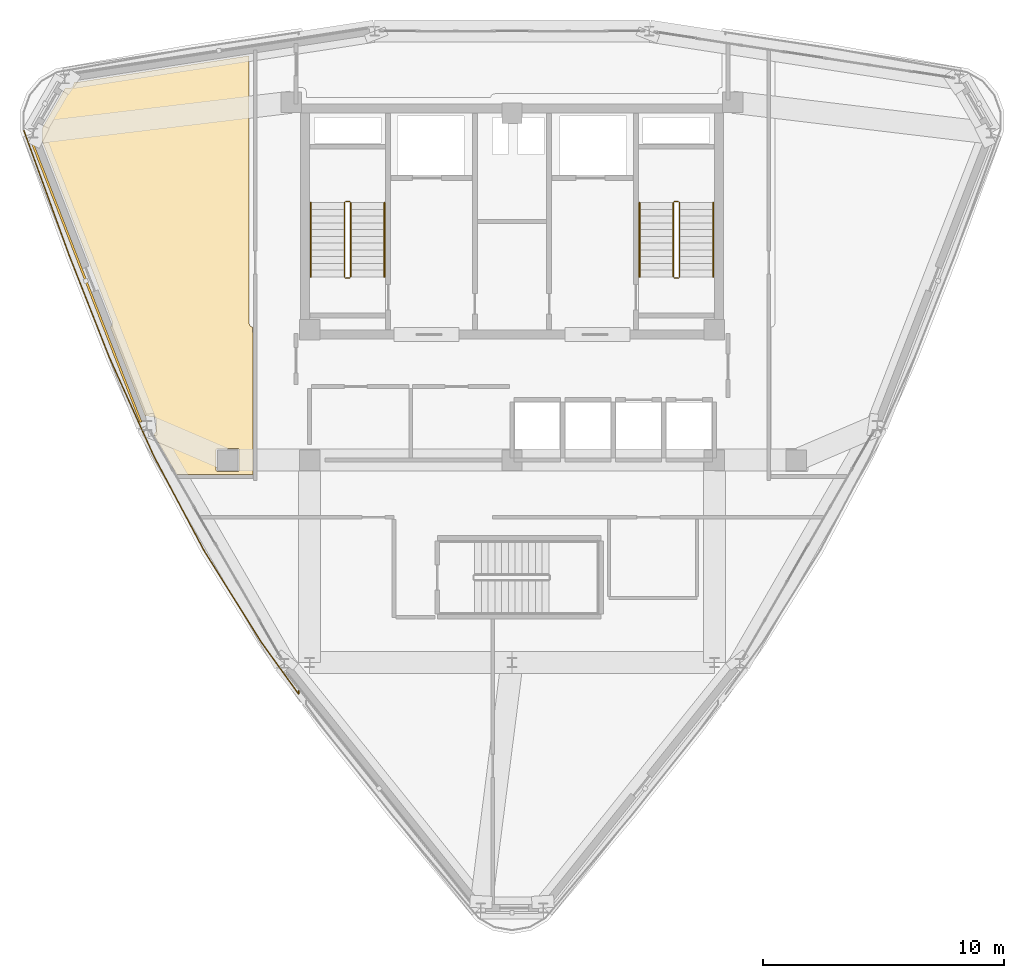
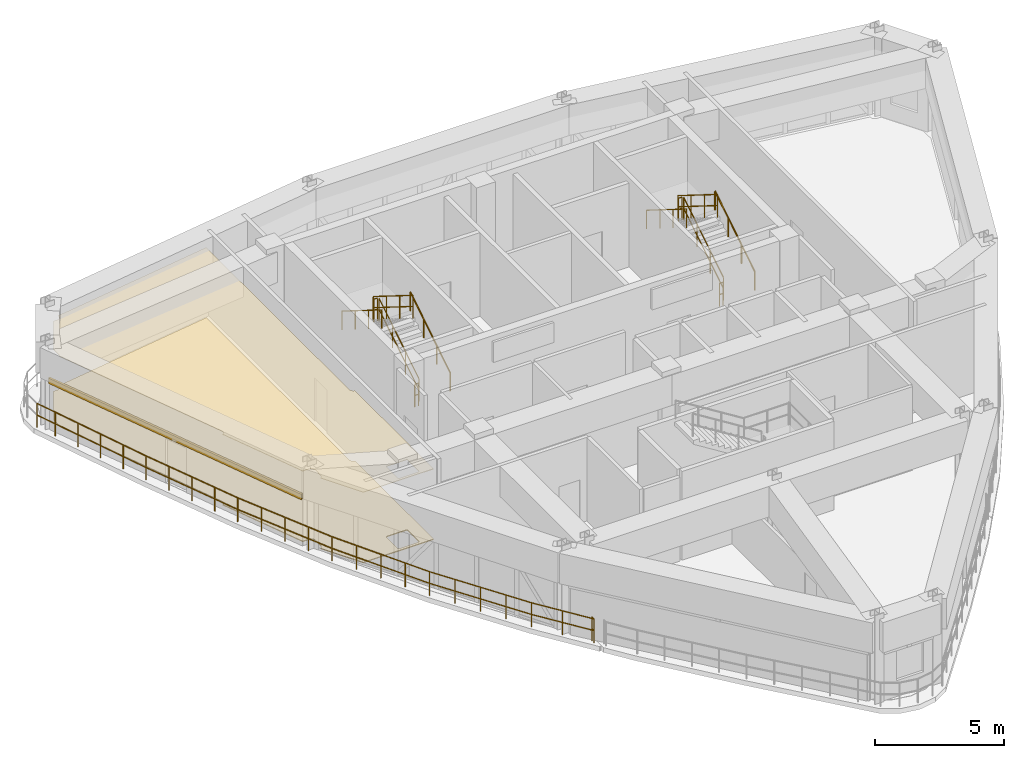
# One storey, part 16 of 18: 13 railings, 2 coverings, 1 shading device.
"""IFC4 building model written with IfcOpenShell, lengths in metres."""

import ifcopenshell
import ifcopenshell.guid

model = None  # the IFC model being written
_history = None  # IfcOwnerHistory: only IFC2X3 demands one
_inside = {}  # id of a spatial element -> (the spatial element, [elements in it])
_under = {}  # id of a project, library or spatial element -> (it, [spatial elements below it])
_declared = {}  # id of a project -> (the project, [libraries it declares])
_typed = {}  # id of a type object -> (the type object, [elements of that type])
_made_of = {}  # id of a material, layer set ... -> (it, [elements and type objects made of it])


def new_model(schema):
    """Start an empty IFC model of exactly this schema.

    Asked for "IFC4X3", IfcOpenShell would pick the latest addendum, in which some entities
    have other attributes; the version numbers below select the first issue.
    IFC2X3 requires an IfcOwnerHistory on every rooted entity: one is made here for all.
    """
    global model, _history
    if schema == "IFC4X3":
        model = ifcopenshell.file(schema_version=(4, 3, 0, 0))
    else:
        model = ifcopenshell.file(schema=schema)
    _inside.clear()
    _under.clear()
    _declared.clear()
    _typed.clear()
    _made_of.clear()
    _history = None
    if model.schema == "IFC2X3":
        org = make("IfcOrganization", Name="unknown")
        user = make(
            "IfcPersonAndOrganization",
            ThePerson=make("IfcPerson", FamilyName="unknown"),
            TheOrganization=org,
        )
        app = make(
            "IfcApplication",
            ApplicationDeveloper=org,
            Version="unknown",
            ApplicationFullName="unknown",
            ApplicationIdentifier="unknown",
        )
        _history = make(
            "IfcOwnerHistory",
            OwningUser=user,
            OwningApplication=app,
            ChangeAction="ADDED",
            CreationDate=0,
        )
    return model


def make(cls, **values):
    """One entity of the class cls with the attributes given. An attribute that is None is left unset."""
    return model.create_entity(
        cls, **{name: value for name, value in values.items() if value is not None}
    )


def rooted(cls, **values):
    """An entity with a GlobalId (a new one), such as an element, a storey or a relation."""
    return make(cls, GlobalId=ifcopenshell.guid.new(), OwnerHistory=_history, **values)


def si_unit(unit_type, name, prefix=None):
    """IfcSIUnit, for example si_unit("LENGTHUNIT", "METRE", prefix="MILLI")."""
    return make("IfcSIUnit", UnitType=unit_type, Prefix=prefix, Name=name)


def derived_unit(unit_type, elements):
    """IfcDerivedUnit: a product of units, each with its exponent."""
    return make(
        "IfcDerivedUnit",
        Elements=[
            make("IfcDerivedUnitElement", Unit=unit, Exponent=power)
            for unit, power in elements
        ],
        UnitType=unit_type,
    )


def assignment(units):
    """IfcUnitAssignment: the units of a project."""
    return None if units is None else make("IfcUnitAssignment", Units=units)


def point(xyz):
    """IfcCartesianPoint."""
    return None if xyz is None else make("IfcCartesianPoint", Coordinates=xyz)


def direction(xyz):
    """IfcDirection."""
    return None if xyz is None else make("IfcDirection", DirectionRatios=xyz)


def frame(location, z_axis=None, x_axis=None):
    """IfcAxis2Placement3D, a coordinate frame: its origin and axes. An axis left out is left unset."""
    return make(
        "IfcAxis2Placement3D",
        Location=point(location),
        Axis=direction(z_axis),
        RefDirection=direction(x_axis),
    )


def frame_2d(location, x_axis=None):
    """IfcAxis2Placement2D, a coordinate frame in the plane: its origin and x axis."""
    return make(
        "IfcAxis2Placement2D", Location=point(location), RefDirection=direction(x_axis)
    )


def origin():
    """The frame at (0, 0, 0) with its axes left unset."""
    return frame((0.0, 0.0, 0.0))


def origin_2d():
    """The frame at (0, 0) in the plane with its x axis left unset."""
    return frame_2d((0.0, 0.0))


def place(relative_to, where):
    """IfcLocalPlacement: puts the frame where relative to a parent placement (None: the world)."""
    return make(
        "IfcLocalPlacement", PlacementRelTo=relative_to, RelativePlacement=where
    )


def context(
    kind, dimensions, precision=None, world=None, true_north=None, identifier=None
):
    """IfcGeometricRepresentationContext, for example the 3D "Model" context."""
    return make(
        "IfcGeometricRepresentationContext",
        ContextIdentifier=identifier,
        ContextType=kind,
        CoordinateSpaceDimension=dimensions,
        Precision=precision,
        WorldCoordinateSystem=world,
        TrueNorth=true_north,
    )


def subcontext(parent, identifier, kind, view, scale=None):
    """IfcGeometricRepresentationSubContext, for example "Body" below "Model"."""
    return make(
        "IfcGeometricRepresentationSubContext",
        ContextIdentifier=identifier,
        ContextType=kind,
        ParentContext=parent,
        TargetScale=scale,
        TargetView=view,
    )


def project(units=None, contexts=None):
    """IfcProject with its units and contexts."""
    return rooted(
        "IfcProject",
        Name="project",
        RepresentationContexts=contexts,
        UnitsInContext=assignment(units),
    )


def spatial(cls, under=None, at=None, **own):
    """A site, building, storey or space (cls), placed at a placement, below another one or the project."""
    s = rooted(cls, ObjectPlacement=at, **own)
    if under is not None:
        _under.setdefault(under.id(), (under, []))[1].append(s)
    return s


def polyline(points):
    """IfcPolyline through the points."""
    return make("IfcPolyline", Points=[point(p) for p in points])


def profile(cls, at=None, kind="AREA", **sizes):
    """A parametric profile (cls). Its sizes go by their IFC names, for example OverallWidth=200.0."""
    return make(cls, ProfileType=kind, Position=at, **sizes)


def hollow_rectangle(**sizes):
    """IfcRectangleHollowProfileDef."""
    return profile("IfcRectangleHollowProfileDef", **sizes)


def circle(**sizes):
    """IfcCircleProfileDef."""
    return profile("IfcCircleProfileDef", **sizes)


def outline(outer, holes=None, kind="AREA"):
    """IfcArbitraryClosedProfileDef: a profile drawn as a closed curve; with holes, ...WithVoids."""
    if holes is None:
        return make("IfcArbitraryClosedProfileDef", ProfileType=kind, OuterCurve=outer)
    return make(
        "IfcArbitraryProfileDefWithVoids",
        ProfileType=kind,
        OuterCurve=outer,
        InnerCurves=holes,
    )


def extrude(swept, where, along, depth):
    """IfcExtrudedAreaSolid: the profile swept, set in the frame where, extruded along a direction by depth."""
    return make(
        "IfcExtrudedAreaSolid",
        SweptArea=swept,
        Position=where,
        ExtrudedDirection=direction(along),
        Depth=depth,
    )


def shape(context_of_items, identifier, shape_type, items):
    """IfcShapeRepresentation: the items that make up one representation, for example the "Body"."""
    return make(
        "IfcShapeRepresentation",
        ContextOfItems=context_of_items,
        RepresentationIdentifier=identifier,
        RepresentationType=shape_type,
        Items=items,
    )


def source(mapping_origin, context_of_items, identifier, shape_type, items):
    """IfcRepresentationMap: a shape defined once, which mapped items show again and again."""
    return make(
        "IfcRepresentationMap",
        MappingOrigin=mapping_origin,
        MappedRepresentation=shape(context_of_items, identifier, shape_type, items),
    )


def transform(
    local_origin,
    x_axis=None,
    y_axis=None,
    z_axis=None,
    scale=None,
    scale2=None,
    scale3=None,
    uniform=True,
):
    """IfcCartesianTransformationOperator3D, or its non-uniform kind. x_axis, y_axis, z_axis: its Axis1, 2, 3."""
    if uniform:
        return make(
            "IfcCartesianTransformationOperator3D",
            Axis1=direction(x_axis),
            Axis2=direction(y_axis),
            LocalOrigin=point(local_origin),
            Scale=scale,
            Axis3=direction(z_axis),
        )
    return make(
        "IfcCartesianTransformationOperator3DnonUniform",
        Axis1=direction(x_axis),
        Axis2=direction(y_axis),
        LocalOrigin=point(local_origin),
        Scale=scale,
        Axis3=direction(z_axis),
        Scale2=scale2,
        Scale3=scale3,
    )


def mapped(mapping_source, mapping_target):
    """IfcMappedItem: shows the shape of a source again, moved by a transform."""
    return make(
        "IfcMappedItem", MappingSource=mapping_source, MappingTarget=mapping_target
    )


def material(Name=None, Category=None):
    """IfcMaterial."""
    return make("IfcMaterial", Name=Name, Category=Category)


def layer(
    of_material, thickness, ventilated=None, Name=None, Category=None, Priority=None
):
    """IfcMaterialLayer: one layer of a wall or slab, of a material (None: an air gap)."""
    return make(
        "IfcMaterialLayer",
        Material=of_material,
        LayerThickness=thickness,
        IsVentilated=ventilated,
        Name=Name,
        Category=Category,
        Priority=Priority,
    )


def layer_set(layers, Name=None):
    """IfcMaterialLayerSet."""
    return make("IfcMaterialLayerSet", MaterialLayers=layers, LayerSetName=Name)


def material_profile(
    of_material, cross_section, Name=None, Category=None, Priority=None
):
    """IfcMaterialProfile: a cross section and its material."""
    return make(
        "IfcMaterialProfile",
        Name=Name,
        Material=of_material,
        Profile=cross_section,
        Priority=Priority,
        Category=Category,
    )


def profile_set(profiles, Name=None, composite=None):
    """IfcMaterialProfileSet."""
    return make(
        "IfcMaterialProfileSet",
        Name=Name,
        MaterialProfiles=profiles,
        CompositeProfile=composite,
    )


def made_of(thing, what):
    """Note that an element or type object is made of a material, layer set ...; save() writes the relation."""
    if what is not None:
        _made_of.setdefault(what.id(), (what, []))[1].append(thing)
    return thing


def type_object(cls, material=None, **own):
    """A type object (cls), such as IfcWallType, which elements share."""
    return made_of(rooted(cls, **own), material)


def element(
    cls,
    number,
    at=None,
    inside=None,
    cuts=None,
    type_object=None,
    material=None,
    context=None,
    identifier="Body",
    shape_type=None,
    held_by="IfcProductDefinitionShape",
    body=None,
    shapes=None,
    **own,
):
    """One element of the class cls, such as IfcWall. Its Tag is "e" and its number.

    at: its placement. inside: the storey or other place that contains it. cuts: it is an
    opening in that element (IfcRelVoidsElement). A single representation is given by context,
    identifier, shape_type and body (its items); several are given by shapes. held_by: the class
    of the entity that holds the representations. save() writes the other relations.
    """
    e = rooted(cls, Tag="e%d" % number, ObjectPlacement=at, **own)
    if body is not None:
        shapes = [shape(context, identifier, shape_type, body)]
    if shapes is not None:
        e.Representation = make(held_by, Representations=shapes)
    if inside is not None:
        _inside.setdefault(inside.id(), (inside, []))[1].append(e)
    if cuts is not None:
        rooted(
            "IfcRelVoidsElement", RelatingBuildingElement=cuts, RelatedOpeningElement=e
        )
    if type_object is not None:
        _typed.setdefault(type_object.id(), (type_object, []))[1].append(e)
    return made_of(e, material)


def aggregate(whole, parts):
    """IfcRelAggregates: a whole, such as a stair, and the parts it consists of."""
    return rooted("IfcRelAggregates", RelatingObject=whole, RelatedObjects=parts)


def save(model, path):
    """Write the relations noted so far, then the file.

    IfcRelAggregates (storeys below a building ...), IfcRelContainedInSpatialStructure (elements
    in a storey), IfcRelDefinesByType, IfcRelAssociatesMaterial and IfcRelDeclares: one each for
    every whole, place, type object, material and project.
    """
    for whole, parts in _under.values():
        aggregate(whole, parts)
    for where, things in _inside.values():
        rooted(
            "IfcRelContainedInSpatialStructure",
            RelatedElements=things,
            RelatingStructure=where,
        )
    for kind, things in _typed.values():
        rooted("IfcRelDefinesByType", RelatedObjects=things, RelatingType=kind)
    for what, things in _made_of.values():
        rooted("IfcRelAssociatesMaterial", RelatedObjects=things, RelatingMaterial=what)
    for by, libraries in _declared.values():
        rooted("IfcRelDeclares", RelatingContext=by, RelatedDefinitions=libraries)
    model.write(path)


model = new_model("IFC4")

# Units and contexts
model_context = context("Model", 3, precision=1e-05, world=origin(), true_north=direction((0.0, 1.0)))
body_context = subcontext(model_context, "Body", "Model", "MODEL_VIEW")
ifc_project = project(units=[si_unit("LENGTHUNIT", "METRE"), si_unit("AREAUNIT", "SQUARE_METRE"), si_unit("VOLUMEUNIT", "CUBIC_METRE"), si_unit("PLANEANGLEUNIT", "RADIAN"), si_unit("MASSUNIT", "GRAM", prefix="KILO"), derived_unit("THERMALTRANSMITTANCEUNIT", [(si_unit("POWERUNIT", "WATT"), 1), (si_unit("LENGTHUNIT", "METRE"), -2), (si_unit("THERMODYNAMICTEMPERATUREUNIT", "KELVIN"), -1)])], contexts=[model_context])

# Site, building, storey
site_placement = place(None, origin())
site = spatial("IfcSite", under=ifc_project, at=site_placement, CompositionType="ELEMENT")
building_placement = place(site_placement, origin())
building = spatial("IfcBuilding", under=site, at=building_placement, Name="Korsvarv Bourse and Concert Hall", CompositionType="ELEMENT")
storey_placement = place(building_placement, frame((0.0, 0.0, 275.39990234375)))
storey = spatial("IfcBuildingStorey", under=building, at=storey_placement, Name="L72", CompositionType="ELEMENT", Elevation=275.39990234375)

# Coverings
ifc_material_1 = material(Name="Perforated mineral-wool and birch acoustic baffle ceiling", Category="wood")
ifc_layer_1 = layer(ifc_material_1, 0.02490234375)
ifc_layer_set_1 = layer_set([ifc_layer_1], Name="Perforated mineral-wool and birch acoustic baffle ceiling")
covering_type_1 = type_object("IfcCoveringType", Name="COV-CEIL-1", PredefinedType="CEILING", material=ifc_layer_set_1)
covering_1_placement = place(storey_placement, frame((0.0, 0.0, 3.340087890625)))
element("IfcCovering", 1, at=covering_1_placement, inside=storey, type_object=covering_type_1, Name="L72 acoustic baffle ceiling 2", PredefinedType="CEILING", context=body_context, shape_type="SweptSolid", body=[
    extrude(outline(polyline([(16.494384765625, 45.6708984375), (16.50830078125, 45.70263671875), (16.515869140625, 45.736572265625), (16.527099609375, 46.162841796875), (16.524658203125, 46.197998046875), (17.465087890625, 47.82861328125), (17.636474609375, 47.82861328125), (17.672607421875, 47.83251953125), (17.70751953125, 47.84326171875), (17.7392578125, 47.861083984375), (17.766845703125, 47.884765625), (17.789306640625, 47.91357421875), (17.80517578125, 47.9462890625), (17.814453125, 47.981689453125), (17.81884765625, 48.0546875), (25.090087890625, 49.174560546875), (25.090087890625, 38.090087890625), (25.09375, 38.0537109375), (25.1044921875, 38.01904296875), (25.122314453125, 37.9873046875), (25.14599609375, 37.959716796875), (25.1748046875, 37.937255859375), (25.20751953125, 37.921142578125), (25.24267578125, 37.912109375), (25.25, 31.81005859375), (22.1708984375, 31.81005859375), (22.134033203125, 31.80615234375), (22.100341796875, 31.79541015625), (21.1357421875, 33.466064453125), (21.166259765625, 33.48583984375), (21.191162109375, 33.510009765625), (21.2109375, 33.538818359375), (21.224853515625, 33.570556640625), (21.232421875, 33.6044921875), (21.243408203125, 34.03076171875), (21.240966796875, 34.06591796875), (21.2314453125, 34.10009765625), (21.2158203125, 34.131591796875), (21.19384765625, 34.1591796875), (21.167236328125, 34.182373046875), (21.136474609375, 34.19970703125), (21.10302734375, 34.210693359375), (21.068115234375, 34.215087890625), (20.776611328125, 34.22216796875), (19.32958984375, 37.920166015625), (19.35107421875, 37.93359375), (19.377685546875, 37.957763671875), (19.39892578125, 37.98681640625), (19.4140625, 38.01953125), (19.42236328125, 38.0546875), (19.42333984375, 38.090576171875), (19.417236328125, 38.126220703125), (16.494384765625, 45.6708984375)]), holes=[polyline([(23.76513671875, 31.926025390625), (24.625, 31.925048828125), (24.648681640625, 31.930908203125), (24.66650390625, 31.947265625), (24.6748046875, 31.97021484375), (24.675048828125, 32.824951171875), (24.669189453125, 32.8486328125), (24.65283203125, 32.86669921875), (24.6298828125, 32.874755859375), (23.77490234375, 32.875), (23.75146484375, 32.869140625), (23.7333984375, 32.852783203125), (23.72509765625, 32.829833984375), (23.72509765625, 31.97509765625), (23.73095703125, 31.951416015625), (23.76513671875, 31.926025390625)])]), origin(), (0.0, 0.0, 1.0), 0.02490234375),
])
ifc_material_2 = material(Name="Calcium-sulphate raised access trading floor with Nordic oak top", Category="wood")
ifc_layer_2 = layer(ifc_material_2, 0.0400390625)
ifc_layer_set_2 = layer_set([ifc_layer_2], Name="Calcium-sulphate raised access trading floor with Nordic oak top")
covering_type_2 = type_object("IfcCoveringType", Name="COV-FLOR-1", PredefinedType="FLOORING", material=ifc_layer_set_2)
covering_2_placement = place(storey_placement, origin())
element("IfcCovering", 2, at=covering_2_placement, inside=storey, type_object=covering_type_2, Name="L72 raised access oak floor finish 2", PredefinedType="FLOORING", context=body_context, shape_type="SweptSolid", body=[
    extrude(outline(polyline([(16.494384765625, 45.6708984375), (16.50830078125, 45.70263671875), (16.515869140625, 45.736572265625), (16.527099609375, 46.162841796875), (16.524658203125, 46.197998046875), (17.465087890625, 47.82861328125), (17.636474609375, 47.82861328125), (17.672607421875, 47.83251953125), (17.70751953125, 47.84326171875), (17.7392578125, 47.861083984375), (17.766845703125, 47.884765625), (17.789306640625, 47.91357421875), (17.80517578125, 47.9462890625), (17.814453125, 47.981689453125), (17.81884765625, 48.0546875), (25.090087890625, 49.174560546875), (25.090087890625, 38.090087890625), (25.09375, 38.0537109375), (25.1044921875, 38.01904296875), (25.122314453125, 37.9873046875), (25.14599609375, 37.959716796875), (25.1748046875, 37.937255859375), (25.20751953125, 37.921142578125), (25.24267578125, 37.912109375), (25.25, 31.81005859375), (22.1708984375, 31.81005859375), (22.134033203125, 31.80615234375), (22.100341796875, 31.79541015625), (21.1357421875, 33.466064453125), (21.166259765625, 33.48583984375), (21.191162109375, 33.510009765625), (21.2109375, 33.538818359375), (21.224853515625, 33.570556640625), (21.232421875, 33.6044921875), (21.243408203125, 34.03076171875), (21.240966796875, 34.06591796875), (21.2314453125, 34.10009765625), (21.2158203125, 34.131591796875), (21.19384765625, 34.1591796875), (21.167236328125, 34.182373046875), (21.136474609375, 34.19970703125), (21.10302734375, 34.210693359375), (21.068115234375, 34.215087890625), (20.776611328125, 34.22216796875), (19.32958984375, 37.920166015625), (19.35107421875, 37.93359375), (19.377685546875, 37.957763671875), (19.39892578125, 37.98681640625), (19.4140625, 38.01953125), (19.42236328125, 38.0546875), (19.42333984375, 38.090576171875), (19.417236328125, 38.126220703125), (16.494384765625, 45.6708984375)]), holes=[polyline([(23.76513671875, 31.926025390625), (24.625, 31.925048828125), (24.648681640625, 31.930908203125), (24.66650390625, 31.947265625), (24.6748046875, 31.97021484375), (24.675048828125, 32.824951171875), (24.669189453125, 32.8486328125), (24.65283203125, 32.86669921875), (24.6298828125, 32.874755859375), (23.77490234375, 32.875), (23.75146484375, 32.869140625), (23.7333984375, 32.852783203125), (23.72509765625, 32.829833984375), (23.72509765625, 31.97509765625), (23.73095703125, 31.951416015625), (23.76513671875, 31.926025390625)])]), origin(), (0.0, 0.0, 1.0), 0.0400390625),
])

# Railings
ifc_material_3 = material(Name="Laminated safety glass and stainless Steel S355 balustrade", Category="steel")
railing_type_1 = type_object("IfcRailingType", Name="RL-BAL-EXT", PredefinedType="BALUSTRADE", material=ifc_material_3)
railing_1_placement = place(storey_placement, frame((27.14990234375, 22.840087890625, 0.0)))
element("IfcRailing", 3, at=railing_1_placement, inside=storey, type_object=railing_type_1, Name="L72 terrace perimeter balustrade SKYG1-2", PredefinedType="BALUSTRADE", context=body_context, shape_type="SweptSolid", body=[
    extrude(circle(Radius=0.02392578125, at=origin_2d()), frame((0.0, 0.0, 1.1259765625), z_axis=(0.0, -1.0, 0.0), x_axis=(1.0, 0.0, 0.0)), (0.0, 0.0, 1.0), 0.1552734375),
    extrude(circle(Radius=0.02392578125, at=origin_2d()), frame((0.0, 0.0, 0.574951171875), z_axis=(0.0, -1.0, 0.0), x_axis=(1.0, 0.0, 0.0)), (0.0, 0.0, 1.0), 0.1552734375),
    extrude(circle(Radius=0.02392578125, at=origin_2d()), frame((0.0, -0.1552734375, 1.1259765625), z_axis=(-0.584038003809, 0.81172631478, 0.0), x_axis=(-0.81172631478, -0.584038003809, 0.0)), (0.0, 0.0, 1.0), 2.65283203125),
    extrude(circle(Radius=0.02392578125, at=origin_2d()), frame((0.0, -0.1552734375, 0.574951171875), z_axis=(-0.584038003809, 0.81172631478, 0.0), x_axis=(-0.81172631478, -0.584038003809, 0.0)), (0.0, 0.0, 1.0), 2.65283203125),
    extrude(circle(Radius=0.02392578125, at=origin_2d()), frame((-1.54931640625, 1.998046875, 1.1259765625), z_axis=(-0.530170794452, 0.847890870756, 0.0), x_axis=(-0.847890870756, -0.530170794452, 0.0)), (0.0, 0.0, 1.0), 4.468994140625),
    extrude(circle(Radius=0.02392578125, at=origin_2d()), frame((-1.54931640625, 1.998046875, 0.574951171875), z_axis=(-0.530170794452, 0.847890870756, 0.0), x_axis=(-0.847890870756, -0.530170794452, 0.0)), (0.0, 0.0, 1.0), 4.468994140625),
    extrude(circle(Radius=0.02392578125, at=origin_2d()), frame((-3.918701171875, 5.787353515625, 1.1259765625), z_axis=(-0.469189840622, 0.883097329549, 0.0), x_axis=(-0.883097329549, -0.469189840622, 0.0)), (0.0, 0.0, 1.0), 4.46923828125),
    extrude(circle(Radius=0.02392578125, at=origin_2d()), frame((-3.918701171875, 5.787353515625, 0.574951171875), z_axis=(-0.469189840622, 0.883097329549, 0.0), x_axis=(-0.883097329549, -0.469189840622, 0.0)), (0.0, 0.0, 1.0), 4.46923828125),
    extrude(circle(Radius=0.02392578125, at=origin_2d()), frame((-6.015625, 9.734130859375, 1.1259765625), z_axis=(-0.411021108265, 0.911625827059, 0.0), x_axis=(-0.911625827059, -0.411021108265, 0.0)), (0.0, 0.0, 1.0), 4.49951171875),
    extrude(circle(Radius=0.02392578125, at=origin_2d()), frame((-6.015625, 9.734130859375, 0.574951171875), z_axis=(-0.411021108265, 0.911625827059, 0.0), x_axis=(-0.911625827059, -0.411021108265, 0.0)), (0.0, 0.0, 1.0), 4.49951171875),
    extrude(circle(Radius=0.02392578125, at=origin_2d()), frame((-7.864990234375, 13.8359375, 1.1259765625), z_axis=(-0.365806723351, 0.930690840801, 0.0), x_axis=(-0.930690840801, -0.365806723351, 0.0)), (0.0, 0.0, 1.0), 4.551025390625),
    extrude(circle(Radius=0.02392578125, at=origin_2d()), frame((-7.864990234375, 13.8359375, 0.574951171875), z_axis=(-0.365806723351, 0.930690840801, 0.0), x_axis=(-0.930690840801, -0.365806723351, 0.0)), (0.0, 0.0, 1.0), 4.551025390625),
    extrude(circle(Radius=0.02392578125, at=origin_2d()), frame((-9.52978515625, 18.071533203125, 1.1259765625), z_axis=(-0.341226395197, 0.93998114195, 0.0), x_axis=(-0.93998114195, -0.341226395197, 0.0)), (0.0, 0.0, 1.0), 4.59130859375),
    extrude(circle(Radius=0.02392578125, at=origin_2d()), frame((-9.52978515625, 18.071533203125, 0.574951171875), z_axis=(-0.341226395197, 0.93998114195, 0.0), x_axis=(-0.93998114195, -0.341226395197, 0.0)), (0.0, 0.0, 1.0), 4.59130859375),
    extrude(circle(Radius=0.02392578125, at=origin_2d()), frame((-11.096435546875, 22.38720703125, 1.1259765625), z_axis=(-0.342185826582, 0.93963230047, 0.0), x_axis=(-0.93963230047, -0.342185826582, 0.0)), (0.0, 0.0, 1.0), 0.9296875),
    extrude(circle(Radius=0.02392578125, at=origin_2d()), frame((-11.096435546875, 22.38720703125, 0.574951171875), z_axis=(-0.342185826582, 0.93963230047, 0.0), x_axis=(-0.93963230047, -0.342185826582, 0.0)), (0.0, 0.0, 1.0), 0.9296875),
    extrude(circle(Radius=0.02099609375, at=origin_2d()), origin(), (0.0, 0.0, 1.0), 1.101806640625),
    extrude(circle(Radius=0.02099609375, at=origin_2d()), frame((0.0, -0.1552734375, 0.0)), (0.0, 0.0, 1.0), 1.101806640625),
    extrude(circle(Radius=0.02099609375, at=origin_2d()), frame((-0.774658203125, 0.92138671875, 0.0)), (0.0, 0.0, 1.0), 1.101806640625),
    extrude(circle(Radius=0.02099609375, at=origin_2d()), frame((-1.54931640625, 1.998046875, 0.0)), (0.0, 0.0, 1.0), 1.101806640625),
    extrude(circle(Radius=0.02099609375, at=origin_2d()), frame((-2.1416015625, 2.9453125, 0.0)), (0.0, 0.0, 1.0), 1.101806640625),
    extrude(circle(Radius=0.02099609375, at=origin_2d()), frame((-2.73388671875, 3.892578125, 0.0)), (0.0, 0.0, 1.0), 1.101806640625),
    extrude(circle(Radius=0.02099609375, at=origin_2d()), frame((-3.326416015625, 4.840087890625, 0.0)), (0.0, 0.0, 1.0), 1.101806640625),
    extrude(circle(Radius=0.02099609375, at=origin_2d()), frame((-3.918701171875, 5.787353515625, 0.0)), (0.0, 0.0, 1.0), 1.101806640625),
    extrude(circle(Radius=0.02099609375, at=origin_2d()), frame((-4.44287109375, 6.77392578125, 0.0)), (0.0, 0.0, 1.0), 1.101806640625),
    extrude(circle(Radius=0.02099609375, at=origin_2d()), frame((-4.96728515625, 7.7607421875, 0.0)), (0.0, 0.0, 1.0), 1.101806640625),
    extrude(circle(Radius=0.02099609375, at=origin_2d()), frame((-5.491455078125, 8.74755859375, 0.0)), (0.0, 0.0, 1.0), 1.101806640625),
    extrude(circle(Radius=0.02099609375, at=origin_2d()), frame((-6.015625, 9.734130859375, 0.0)), (0.0, 0.0, 1.0), 1.101806640625),
    extrude(circle(Radius=0.02099609375, at=origin_2d()), frame((-6.47802734375, 10.759521484375, 0.0)), (0.0, 0.0, 1.0), 1.101806640625),
    extrude(circle(Radius=0.02099609375, at=origin_2d()), frame((-6.9404296875, 11.78515625, 0.0)), (0.0, 0.0, 1.0), 1.101806640625),
    extrude(circle(Radius=0.02099609375, at=origin_2d()), frame((-7.402587890625, 12.810546875, 0.0)), (0.0, 0.0, 1.0), 1.101806640625),
    extrude(circle(Radius=0.02099609375, at=origin_2d()), frame((-7.864990234375, 13.8359375, 0.0)), (0.0, 0.0, 1.0), 1.101806640625),
    extrude(circle(Radius=0.02099609375, at=origin_2d()), frame((-8.28125, 14.894775390625, 0.0)), (0.0, 0.0, 1.0), 1.101806640625),
    extrude(circle(Radius=0.02099609375, at=origin_2d()), frame((-8.697265625, 15.95361328125, 0.0)), (0.0, 0.0, 1.0), 1.101806640625),
    extrude(circle(Radius=0.02099609375, at=origin_2d()), frame((-9.113525390625, 17.0126953125, 0.0)), (0.0, 0.0, 1.0), 1.101806640625),
    extrude(circle(Radius=0.02099609375, at=origin_2d()), frame((-9.52978515625, 18.071533203125, 0.0)), (0.0, 0.0, 1.0), 1.101806640625),
    extrude(circle(Radius=0.02099609375, at=origin_2d()), frame((-9.92138671875, 19.150390625, 0.0)), (0.0, 0.0, 1.0), 1.101806640625),
    extrude(circle(Radius=0.02099609375, at=origin_2d()), frame((-10.31298828125, 20.2294921875, 0.0)), (0.0, 0.0, 1.0), 1.101806640625),
    extrude(circle(Radius=0.02099609375, at=origin_2d()), frame((-10.704833984375, 21.308349609375, 0.0)), (0.0, 0.0, 1.0), 1.101806640625),
    extrude(circle(Radius=0.02099609375, at=origin_2d()), frame((-11.096435546875, 22.38720703125, 0.0)), (0.0, 0.0, 1.0), 1.101806640625),
    extrude(circle(Radius=0.02099609375, at=origin_2d()), frame((-11.41455078125, 23.2607421875, 0.0)), (0.0, 0.0, 1.0), 1.101806640625),
])
ifc_material_4 = material(Name="Painted Steel S355 stair well guardrail", Category="steel")
railing_type_2 = type_object("IfcRailingType", Name="RL-ST-GRD", PredefinedType="GUARDRAIL", material=ifc_material_4)
railing_2_placement = place(storey_placement, frame((29.31005859375, 40.0, 0.175048828125)))
element("IfcRailing", 4, at=railing_2_placement, inside=storey, type_object=railing_type_2, Name="L72 ST-T1 stair guard 1", PredefinedType="GUARDRAIL", context=body_context, shape_type="SweptSolid", body=[
    extrude(circle(Radius=0.02392578125, at=origin_2d()), frame((0.0, 0.0, 1.076171875), z_axis=(0.0, 0.847998304005, 0.529998940003), x_axis=(-1.0, 0.0, 0.0)), (0.0, 0.0, 1.0), 3.632080078125),
    extrude(circle(Radius=0.02392578125, at=origin_2d()), frame((0.0, 0.0, 0.550048828125), z_axis=(0.0, 0.847998304005, 0.529998940003), x_axis=(-1.0, 0.0, 0.0)), (0.0, 0.0, 1.0), 3.632080078125),
    extrude(circle(Radius=0.02099609375, at=origin_2d()), origin(), (0.0, 0.0, 1.0), 1.052001953125),
    extrude(circle(Radius=0.02099609375, at=origin_2d()), frame((0.0, 1.026611328125, 0.6416015625)), (0.0, 0.0, 1.0), 1.052001953125),
    extrude(circle(Radius=0.02099609375, at=origin_2d()), frame((0.0, 2.053466796875, 1.283447265625)), (0.0, 0.0, 1.0), 1.052001953125),
    extrude(circle(Radius=0.02099609375, at=origin_2d()), frame((0.0, 3.080078125, 1.925048828125)), (0.0, 0.0, 1.0), 1.052001953125),
])
railing_3_placement = place(storey_placement, frame((29.260009765625, 43.1298828125, 2.10009765625)))
element("IfcRailing", 5, at=railing_3_placement, inside=storey, type_object=railing_type_2, Name="L72 ST-T1 stair guard 2", PredefinedType="GUARDRAIL", context=body_context, shape_type="SweptSolid", body=[
    extrude(circle(Radius=0.02392578125, at=origin_2d()), frame((0.0, 0.0, 1.076171875), z_axis=(-1.0, 0.0, 0.0), x_axis=(0.0, -1.0, 0.0)), (0.0, 0.0, 1.0), 0.159912109375),
    extrude(circle(Radius=0.02392578125, at=origin_2d()), frame((0.0, 0.0, 0.550048828125), z_axis=(-1.0, 0.0, 0.0), x_axis=(0.0, -1.0, 0.0)), (0.0, 0.0, 1.0), 0.159912109375),
    extrude(circle(Radius=0.02099609375, at=origin_2d()), origin(), (0.0, 0.0, 1.0), 1.052001953125),
    extrude(circle(Radius=0.02099609375, at=origin_2d()), frame((-0.159912109375, 0.0, 0.0)), (0.0, 0.0, 1.0), 1.052001953125),
])
railing_4_placement = place(storey_placement, frame((29.050048828125, 43.080078125, 2.275146484375)))
element("IfcRailing", 6, at=railing_4_placement, inside=storey, type_object=railing_type_2, Name="L72 ST-T1 stair guard 3", PredefinedType="GUARDRAIL", context=body_context, shape_type="SweptSolid", body=[
    extrude(circle(Radius=0.02392578125, at=origin_2d()), frame((0.0, 0.0, 1.076171875), z_axis=(0.0, -0.847998304005, 0.529998940003), x_axis=(1.0, 0.0, 0.0)), (0.0, 0.0, 1.0), 3.632080078125),
    extrude(circle(Radius=0.02392578125, at=origin_2d()), frame((0.0, 0.0, 0.550048828125), z_axis=(0.0, -0.847998304005, 0.529998940003), x_axis=(1.0, 0.0, 0.0)), (0.0, 0.0, 1.0), 3.632080078125),
    extrude(circle(Radius=0.02099609375, at=origin_2d()), origin(), (0.0, 0.0, 1.0), 1.052001953125),
    extrude(circle(Radius=0.02099609375, at=origin_2d()), frame((0.0, -1.026611328125, 0.6416015625)), (0.0, 0.0, 1.0), 1.052001953125),
    extrude(circle(Radius=0.02099609375, at=origin_2d()), frame((0.0, -2.053466796875, 1.283447265625)), (0.0, 0.0, 1.0), 1.052001953125),
    extrude(circle(Radius=0.02099609375, at=origin_2d()), frame((0.0, -3.080078125, 1.925048828125)), (0.0, 0.0, 1.0), 1.052001953125),
])
railing_5_placement = place(storey_placement, frame((29.260009765625, 39.949951171875, 0.0)))
element("IfcRailing", 7, at=railing_5_placement, inside=storey, type_object=railing_type_2, Name="L72 ST-T1 stair guard 4", PredefinedType="GUARDRAIL", context=body_context, shape_type="SweptSolid", body=[
    extrude(circle(Radius=0.02392578125, at=origin_2d()), frame((0.0, 0.0, 1.076171875), z_axis=(-1.0, 0.0, 0.0), x_axis=(0.0, -1.0, 0.0)), (0.0, 0.0, 1.0), 0.159912109375),
    extrude(circle(Radius=0.02392578125, at=origin_2d()), frame((0.0, 0.0, 0.550048828125), z_axis=(-1.0, 0.0, 0.0), x_axis=(0.0, -1.0, 0.0)), (0.0, 0.0, 1.0), 0.159912109375),
    extrude(circle(Radius=0.02099609375, at=origin_2d()), origin(), (0.0, 0.0, 1.0), 1.052001953125),
    extrude(circle(Radius=0.02099609375, at=origin_2d()), frame((-0.159912109375, 0.0, 0.0)), (0.0, 0.0, 1.0), 1.052001953125),
])
railing_6_placement = place(storey_placement, frame((42.949951171875, 40.0, 0.175048828125)))
element("IfcRailing", 8, at=railing_6_placement, inside=storey, type_object=railing_type_2, Name="L72 ST-T2 stair guard 1", PredefinedType="GUARDRAIL", context=body_context, shape_type="SweptSolid", body=[
    extrude(circle(Radius=0.02392578125, at=origin_2d()), frame((0.0, 0.0, 1.076171875), z_axis=(0.0, 0.847998304005, 0.529998940003), x_axis=(-1.0, 0.0, 0.0)), (0.0, 0.0, 1.0), 3.632080078125),
    extrude(circle(Radius=0.02392578125, at=origin_2d()), frame((0.0, 0.0, 0.550048828125), z_axis=(0.0, 0.847998304005, 0.529998940003), x_axis=(-1.0, 0.0, 0.0)), (0.0, 0.0, 1.0), 3.632080078125),
    extrude(circle(Radius=0.02099609375, at=origin_2d()), origin(), (0.0, 0.0, 1.0), 1.052001953125),
    extrude(circle(Radius=0.02099609375, at=origin_2d()), frame((0.0, 1.026611328125, 0.6416015625)), (0.0, 0.0, 1.0), 1.052001953125),
    extrude(circle(Radius=0.02099609375, at=origin_2d()), frame((0.0, 2.053466796875, 1.283447265625)), (0.0, 0.0, 1.0), 1.052001953125),
    extrude(circle(Radius=0.02099609375, at=origin_2d()), frame((0.0, 3.080078125, 1.925048828125)), (0.0, 0.0, 1.0), 1.052001953125),
])
railing_7_placement = place(storey_placement, frame((42.89990234375, 43.1298828125, 2.10009765625)))
element("IfcRailing", 9, at=railing_7_placement, inside=storey, type_object=railing_type_2, Name="L72 ST-T2 stair guard 2", PredefinedType="GUARDRAIL", context=body_context, shape_type="SweptSolid", body=[
    extrude(circle(Radius=0.02392578125, at=origin_2d()), frame((0.0, 0.0, 1.076171875), z_axis=(-1.0, 0.0, 0.0), x_axis=(0.0, -1.0, 0.0)), (0.0, 0.0, 1.0), 0.159912109375),
    extrude(circle(Radius=0.02392578125, at=origin_2d()), frame((0.0, 0.0, 0.550048828125), z_axis=(-1.0, 0.0, 0.0), x_axis=(0.0, -1.0, 0.0)), (0.0, 0.0, 1.0), 0.159912109375),
    extrude(circle(Radius=0.02099609375, at=origin_2d()), origin(), (0.0, 0.0, 1.0), 1.052001953125),
    extrude(circle(Radius=0.02099609375, at=origin_2d()), frame((-0.159912109375, 0.0, 0.0)), (0.0, 0.0, 1.0), 1.052001953125),
])
railing_8_placement = place(storey_placement, frame((42.68994140625, 43.080078125, 2.275146484375)))
element("IfcRailing", 10, at=railing_8_placement, inside=storey, type_object=railing_type_2, Name="L72 ST-T2 stair guard 3", PredefinedType="GUARDRAIL", context=body_context, shape_type="SweptSolid", body=[
    extrude(circle(Radius=0.02392578125, at=origin_2d()), frame((0.0, 0.0, 1.076171875), z_axis=(0.0, -0.847998304005, 0.529998940003), x_axis=(1.0, 0.0, 0.0)), (0.0, 0.0, 1.0), 3.632080078125),
    extrude(circle(Radius=0.02392578125, at=origin_2d()), frame((0.0, 0.0, 0.550048828125), z_axis=(0.0, -0.847998304005, 0.529998940003), x_axis=(1.0, 0.0, 0.0)), (0.0, 0.0, 1.0), 3.632080078125),
    extrude(circle(Radius=0.02099609375, at=origin_2d()), origin(), (0.0, 0.0, 1.0), 1.052001953125),
    extrude(circle(Radius=0.02099609375, at=origin_2d()), frame((0.0, -1.026611328125, 0.6416015625)), (0.0, 0.0, 1.0), 1.052001953125),
    extrude(circle(Radius=0.02099609375, at=origin_2d()), frame((0.0, -2.053466796875, 1.283447265625)), (0.0, 0.0, 1.0), 1.052001953125),
    extrude(circle(Radius=0.02099609375, at=origin_2d()), frame((0.0, -3.080078125, 1.925048828125)), (0.0, 0.0, 1.0), 1.052001953125),
])
railing_9_placement = place(storey_placement, frame((42.89990234375, 39.949951171875, 0.0)))
element("IfcRailing", 11, at=railing_9_placement, inside=storey, type_object=railing_type_2, Name="L72 ST-T2 stair guard 4", PredefinedType="GUARDRAIL", context=body_context, shape_type="SweptSolid", body=[
    extrude(circle(Radius=0.02392578125, at=origin_2d()), frame((0.0, 0.0, 1.076171875), z_axis=(-1.0, 0.0, 0.0), x_axis=(0.0, -1.0, 0.0)), (0.0, 0.0, 1.0), 0.159912109375),
    extrude(circle(Radius=0.02392578125, at=origin_2d()), frame((0.0, 0.0, 0.550048828125), z_axis=(-1.0, 0.0, 0.0), x_axis=(0.0, -1.0, 0.0)), (0.0, 0.0, 1.0), 0.159912109375),
    extrude(circle(Radius=0.02099609375, at=origin_2d()), origin(), (0.0, 0.0, 1.0), 1.052001953125),
    extrude(circle(Radius=0.02099609375, at=origin_2d()), frame((-0.159912109375, 0.0, 0.0)), (0.0, 0.0, 1.0), 1.052001953125),
])
ifc_material_5 = material(Name="Brushed stainless Steel S355 tubular handrail", Category="steel")
railing_type_3 = type_object("IfcRailingType", Name="RL-ST-HND", PredefinedType="HANDRAIL", material=ifc_material_5)
railing_10_placement = place(storey_placement, frame((30.7099609375, 40.0, 0.175048828125)))
element("IfcRailing", 12, at=railing_10_placement, inside=storey, type_object=railing_type_3, Name="L72 ST-T1 stair handrail 1", PredefinedType="HANDRAIL", context=body_context, shape_type="SweptSolid", body=[
    extrude(circle(Radius=0.02392578125, at=origin_2d()), frame((0.0, 0.0, 0.8759765625), z_axis=(0.0, 0.847998304005, 0.529998940003), x_axis=(-1.0, 0.0, 0.0)), (0.0, 0.0, 1.0), 3.632080078125),
    extrude(circle(Radius=0.02099609375, at=origin_2d()), origin(), (0.0, 0.0, 1.0), 0.851806640625),
    extrude(circle(Radius=0.02099609375, at=origin_2d()), frame((0.0, 1.026611328125, 0.6416015625)), (0.0, 0.0, 1.0), 0.851806640625),
    extrude(circle(Radius=0.02099609375, at=origin_2d()), frame((0.0, 2.053466796875, 1.283447265625)), (0.0, 0.0, 1.0), 0.851806640625),
    extrude(circle(Radius=0.02099609375, at=origin_2d()), frame((0.0, 3.080078125, 1.925048828125)), (0.0, 0.0, 1.0), 0.851806640625),
])
railing_11_placement = place(storey_placement, frame((27.64990234375, 43.080078125, 2.275146484375)))
element("IfcRailing", 13, at=railing_11_placement, inside=storey, type_object=railing_type_3, Name="L72 ST-T1 stair handrail 2", PredefinedType="HANDRAIL", context=body_context, shape_type="SweptSolid", body=[
    extrude(circle(Radius=0.02392578125, at=origin_2d()), frame((0.0, 0.0, 0.8759765625), z_axis=(0.0, -0.847998304005, 0.529998940003), x_axis=(1.0, 0.0, 0.0)), (0.0, 0.0, 1.0), 3.632080078125),
    extrude(circle(Radius=0.02099609375, at=origin_2d()), origin(), (0.0, 0.0, 1.0), 0.851806640625),
    extrude(circle(Radius=0.02099609375, at=origin_2d()), frame((0.0, -1.026611328125, 0.6416015625)), (0.0, 0.0, 1.0), 0.851806640625),
    extrude(circle(Radius=0.02099609375, at=origin_2d()), frame((0.0, -2.053466796875, 1.283447265625)), (0.0, 0.0, 1.0), 0.851806640625),
    extrude(circle(Radius=0.02099609375, at=origin_2d()), frame((0.0, -3.080078125, 1.925048828125)), (0.0, 0.0, 1.0), 0.851806640625),
])
railing_12_placement = place(storey_placement, frame((44.35009765625, 40.0, 0.175048828125)))
element("IfcRailing", 14, at=railing_12_placement, inside=storey, type_object=railing_type_3, Name="L72 ST-T2 stair handrail 1", PredefinedType="HANDRAIL", context=body_context, shape_type="SweptSolid", body=[
    extrude(circle(Radius=0.02392578125, at=origin_2d()), frame((0.0, 0.0, 0.8759765625), z_axis=(0.0, 0.847998304005, 0.529998940003), x_axis=(-1.0, 0.0, 0.0)), (0.0, 0.0, 1.0), 3.632080078125),
    extrude(circle(Radius=0.02099609375, at=origin_2d()), origin(), (0.0, 0.0, 1.0), 0.851806640625),
    extrude(circle(Radius=0.02099609375, at=origin_2d()), frame((0.0, 1.026611328125, 0.6416015625)), (0.0, 0.0, 1.0), 0.851806640625),
    extrude(circle(Radius=0.02099609375, at=origin_2d()), frame((0.0, 2.053466796875, 1.283447265625)), (0.0, 0.0, 1.0), 0.851806640625),
    extrude(circle(Radius=0.02099609375, at=origin_2d()), frame((0.0, 3.080078125, 1.925048828125)), (0.0, 0.0, 1.0), 0.851806640625),
])
railing_13_placement = place(storey_placement, frame((41.2900390625, 43.080078125, 2.275146484375)))
element("IfcRailing", 15, at=railing_13_placement, inside=storey, type_object=railing_type_3, Name="L72 ST-T2 stair handrail 2", PredefinedType="HANDRAIL", context=body_context, shape_type="SweptSolid", body=[
    extrude(circle(Radius=0.02392578125, at=origin_2d()), frame((0.0, 0.0, 0.8759765625), z_axis=(0.0, -0.847998304005, 0.529998940003), x_axis=(1.0, 0.0, 0.0)), (0.0, 0.0, 1.0), 3.632080078125),
    extrude(circle(Radius=0.02099609375, at=origin_2d()), origin(), (0.0, 0.0, 1.0), 0.851806640625),
    extrude(circle(Radius=0.02099609375, at=origin_2d()), frame((0.0, -1.026611328125, 0.6416015625)), (0.0, 0.0, 1.0), 0.851806640625),
    extrude(circle(Radius=0.02099609375, at=origin_2d()), frame((0.0, -2.053466796875, 1.283447265625)), (0.0, 0.0, 1.0), 0.851806640625),
    extrude(circle(Radius=0.02099609375, at=origin_2d()), frame((0.0, -3.080078125, 1.925048828125)), (0.0, 0.0, 1.0), 0.851806640625),
])

# Shading device
ifc_material_6 = material(Name="Glazed extruded architectural terracotta", Category="ceramic")
ifc_material_profile = material_profile(ifc_material_6, hollow_rectangle(XDim=0.090087890625, YDim=0.260009765625, WallThickness=0.011962890625, at=origin_2d()), Name="TC-BAG 90x260")
ifc_profile_set = profile_set([ifc_material_profile], Name="Glazed extruded architectural terracotta")
shading_device_type = type_object("IfcShadingDeviceType", Name="SHD-BAG-1", PredefinedType="USERDEFINED", material=ifc_profile_set)
shared_shape = source(origin(), body_context, "Body", "SweptSolid", [
    extrude(hollow_rectangle(XDim=0.090087890625, YDim=0.260009765625, WallThickness=0.011962890625, at=origin_2d()), origin(), (0.0, 0.0, 1.0), 12.577880859375),
])
shading_device_placement = place(storey_placement, frame((16.043701171875, 45.6962890625, 2.360107421875), z_axis=(0.362350717064, -0.932041821939, 0.0), x_axis=(0.932041821939, 0.362350717064, 0.0)))
element("IfcShadingDevice", 16, at=shading_device_placement, inside=storey, type_object=shading_device_type, Name="L72 terracotta baguette sunshade EW-L72-B06", ObjectType="BAGUETTE", PredefinedType="USERDEFINED", context=body_context, shape_type="MappedRepresentation", body=[
    mapped(shared_shape, transform((0.0, 0.0, 0.0), scale=1.0)),
])

save(model, "model.ifc")
